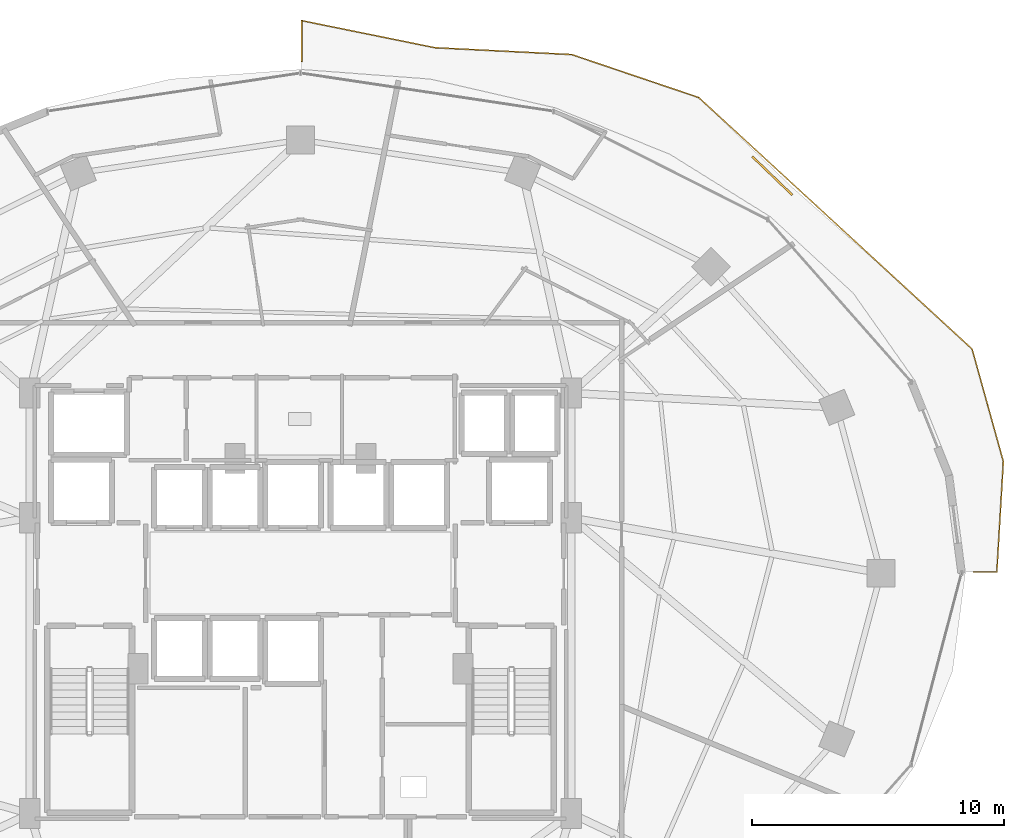
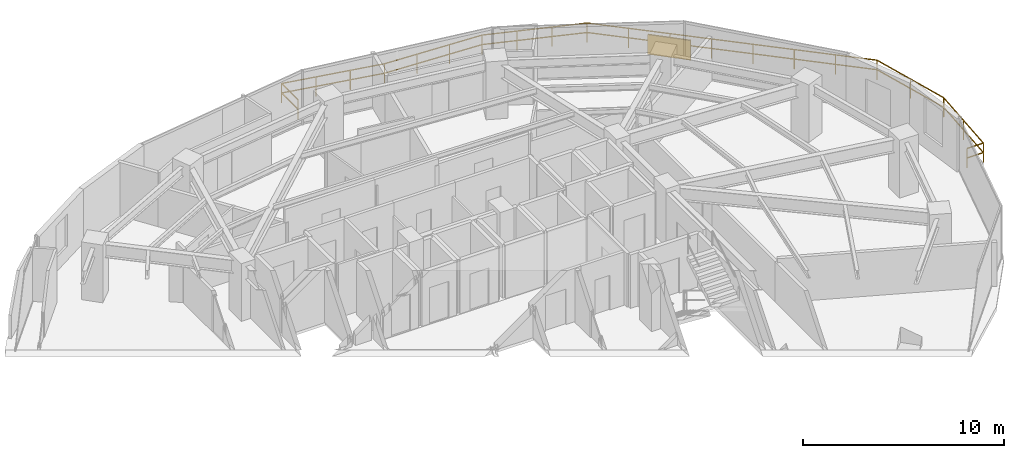
# One storey, part 29 of 30: 2 railings, 1 shading device.
"""IFC4 building model written with IfcOpenShell, lengths in metres."""

import ifcopenshell
import ifcopenshell.guid

model = None  # the IFC model being written
_history = None  # IfcOwnerHistory: only IFC2X3 demands one
_inside = {}  # id of a spatial element -> (the spatial element, [elements in it])
_under = {}  # id of a project, library or spatial element -> (it, [spatial elements below it])
_declared = {}  # id of a project -> (the project, [libraries it declares])
_typed = {}  # id of a type object -> (the type object, [elements of that type])
_made_of = {}  # id of a material, layer set ... -> (it, [elements and type objects made of it])


def new_model(schema):
    """Start an empty IFC model of exactly this schema.

    Asked for "IFC4X3", IfcOpenShell would pick the latest addendum, in which some entities
    have other attributes; the version numbers below select the first issue.
    IFC2X3 requires an IfcOwnerHistory on every rooted entity: one is made here for all.
    """
    global model, _history
    if schema == "IFC4X3":
        model = ifcopenshell.file(schema_version=(4, 3, 0, 0))
    else:
        model = ifcopenshell.file(schema=schema)
    _inside.clear()
    _under.clear()
    _declared.clear()
    _typed.clear()
    _made_of.clear()
    _history = None
    if model.schema == "IFC2X3":
        org = make("IfcOrganization", Name="unknown")
        user = make(
            "IfcPersonAndOrganization",
            ThePerson=make("IfcPerson", FamilyName="unknown"),
            TheOrganization=org,
        )
        app = make(
            "IfcApplication",
            ApplicationDeveloper=org,
            Version="unknown",
            ApplicationFullName="unknown",
            ApplicationIdentifier="unknown",
        )
        _history = make(
            "IfcOwnerHistory",
            OwningUser=user,
            OwningApplication=app,
            ChangeAction="ADDED",
            CreationDate=0,
        )
    return model


def make(cls, **values):
    """One entity of the class cls with the attributes given. An attribute that is None is left unset."""
    return model.create_entity(
        cls, **{name: value for name, value in values.items() if value is not None}
    )


def rooted(cls, **values):
    """An entity with a GlobalId (a new one), such as an element, a storey or a relation."""
    return make(cls, GlobalId=ifcopenshell.guid.new(), OwnerHistory=_history, **values)


def si_unit(unit_type, name, prefix=None):
    """IfcSIUnit, for example si_unit("LENGTHUNIT", "METRE", prefix="MILLI")."""
    return make("IfcSIUnit", UnitType=unit_type, Prefix=prefix, Name=name)


def assignment(units):
    """IfcUnitAssignment: the units of a project."""
    return None if units is None else make("IfcUnitAssignment", Units=units)


def point(xyz):
    """IfcCartesianPoint."""
    return None if xyz is None else make("IfcCartesianPoint", Coordinates=xyz)


def direction(xyz):
    """IfcDirection."""
    return None if xyz is None else make("IfcDirection", DirectionRatios=xyz)


def frame(location, z_axis=None, x_axis=None):
    """IfcAxis2Placement3D, a coordinate frame: its origin and axes. An axis left out is left unset."""
    return make(
        "IfcAxis2Placement3D",
        Location=point(location),
        Axis=direction(z_axis),
        RefDirection=direction(x_axis),
    )


def frame_2d(location, x_axis=None):
    """IfcAxis2Placement2D, a coordinate frame in the plane: its origin and x axis."""
    return make(
        "IfcAxis2Placement2D", Location=point(location), RefDirection=direction(x_axis)
    )


def origin():
    """The frame at (0, 0, 0) with its axes left unset."""
    return frame((0.0, 0.0, 0.0))


def origin_2d():
    """The frame at (0, 0) in the plane with its x axis left unset."""
    return frame_2d((0.0, 0.0))


def place(relative_to, where):
    """IfcLocalPlacement: puts the frame where relative to a parent placement (None: the world)."""
    return make(
        "IfcLocalPlacement", PlacementRelTo=relative_to, RelativePlacement=where
    )


def context(
    kind, dimensions, precision=None, world=None, true_north=None, identifier=None
):
    """IfcGeometricRepresentationContext, for example the 3D "Model" context."""
    return make(
        "IfcGeometricRepresentationContext",
        ContextIdentifier=identifier,
        ContextType=kind,
        CoordinateSpaceDimension=dimensions,
        Precision=precision,
        WorldCoordinateSystem=world,
        TrueNorth=true_north,
    )


def subcontext(parent, identifier, kind, view, scale=None):
    """IfcGeometricRepresentationSubContext, for example "Body" below "Model"."""
    return make(
        "IfcGeometricRepresentationSubContext",
        ContextIdentifier=identifier,
        ContextType=kind,
        ParentContext=parent,
        TargetScale=scale,
        TargetView=view,
    )


def project(units=None, contexts=None):
    """IfcProject with its units and contexts."""
    return rooted(
        "IfcProject",
        Name="project",
        RepresentationContexts=contexts,
        UnitsInContext=assignment(units),
    )


def spatial(cls, under=None, at=None, **own):
    """A site, building, storey or space (cls), placed at a placement, below another one or the project."""
    s = rooted(cls, ObjectPlacement=at, **own)
    if under is not None:
        _under.setdefault(under.id(), (under, []))[1].append(s)
    return s


def profile(cls, at=None, kind="AREA", **sizes):
    """A parametric profile (cls). Its sizes go by their IFC names, for example OverallWidth=200.0."""
    return make(cls, ProfileType=kind, Position=at, **sizes)


def rectangle(**sizes):
    """IfcRectangleProfileDef."""
    return profile("IfcRectangleProfileDef", **sizes)


def extrude(swept, where, along, depth):
    """IfcExtrudedAreaSolid: the profile swept, set in the frame where, extruded along a direction by depth."""
    return make(
        "IfcExtrudedAreaSolid",
        SweptArea=swept,
        Position=where,
        ExtrudedDirection=direction(along),
        Depth=depth,
    )


def shape(context_of_items, identifier, shape_type, items):
    """IfcShapeRepresentation: the items that make up one representation, for example the "Body"."""
    return make(
        "IfcShapeRepresentation",
        ContextOfItems=context_of_items,
        RepresentationIdentifier=identifier,
        RepresentationType=shape_type,
        Items=items,
    )


def material(Name=None, Category=None):
    """IfcMaterial."""
    return make("IfcMaterial", Name=Name, Category=Category)


def made_of(thing, what):
    """Note that an element or type object is made of a material, layer set ...; save() writes the relation."""
    if what is not None:
        _made_of.setdefault(what.id(), (what, []))[1].append(thing)
    return thing


def type_object(cls, material=None, **own):
    """A type object (cls), such as IfcWallType, which elements share."""
    return made_of(rooted(cls, **own), material)


def element(
    cls,
    number,
    at=None,
    inside=None,
    cuts=None,
    type_object=None,
    material=None,
    context=None,
    identifier="Body",
    shape_type=None,
    held_by="IfcProductDefinitionShape",
    body=None,
    shapes=None,
    **own,
):
    """One element of the class cls, such as IfcWall. Its Tag is "e" and its number.

    at: its placement. inside: the storey or other place that contains it. cuts: it is an
    opening in that element (IfcRelVoidsElement). A single representation is given by context,
    identifier, shape_type and body (its items); several are given by shapes. held_by: the class
    of the entity that holds the representations. save() writes the other relations.
    """
    e = rooted(cls, Tag="e%d" % number, ObjectPlacement=at, **own)
    if body is not None:
        shapes = [shape(context, identifier, shape_type, body)]
    if shapes is not None:
        e.Representation = make(held_by, Representations=shapes)
    if inside is not None:
        _inside.setdefault(inside.id(), (inside, []))[1].append(e)
    if cuts is not None:
        rooted(
            "IfcRelVoidsElement", RelatingBuildingElement=cuts, RelatedOpeningElement=e
        )
    if type_object is not None:
        _typed.setdefault(type_object.id(), (type_object, []))[1].append(e)
    return made_of(e, material)


def aggregate(whole, parts):
    """IfcRelAggregates: a whole, such as a stair, and the parts it consists of."""
    return rooted("IfcRelAggregates", RelatingObject=whole, RelatedObjects=parts)


def save(model, path):
    """Write the relations noted so far, then the file.

    IfcRelAggregates (storeys below a building ...), IfcRelContainedInSpatialStructure (elements
    in a storey), IfcRelDefinesByType, IfcRelAssociatesMaterial and IfcRelDeclares: one each for
    every whole, place, type object, material and project.
    """
    for whole, parts in _under.values():
        aggregate(whole, parts)
    for where, things in _inside.values():
        rooted(
            "IfcRelContainedInSpatialStructure",
            RelatedElements=things,
            RelatingStructure=where,
        )
    for kind, things in _typed.values():
        rooted("IfcRelDefinesByType", RelatedObjects=things, RelatingType=kind)
    for what, things in _made_of.values():
        rooted("IfcRelAssociatesMaterial", RelatedObjects=things, RelatingMaterial=what)
    for by, libraries in _declared.values():
        rooted("IfcRelDeclares", RelatingContext=by, RelatedDefinitions=libraries)
    model.write(path)


model = new_model("IFC4")

# Units and contexts
model_context = context("Model", 3, precision=1e-05, world=origin(), true_north=direction((0.0, 1.0)))
body_context = subcontext(model_context, "Body", "Model", "MODEL_VIEW")
ifc_project = project(units=[si_unit("LENGTHUNIT", "METRE"), si_unit("AREAUNIT", "SQUARE_METRE"), si_unit("VOLUMEUNIT", "CUBIC_METRE"), si_unit("PLANEANGLEUNIT", "RADIAN"), si_unit("MASSUNIT", "GRAM", prefix="KILO")], contexts=[model_context])

# Site, building, storey
site_placement = place(None, origin())
site = spatial("IfcSite", under=ifc_project, at=site_placement, CompositionType="ELEMENT")
building_placement = place(site_placement, origin())
building = spatial("IfcBuilding", under=site, at=building_placement, Name="Vorneva Point Tower", CompositionType="ELEMENT")
storey_placement = place(building_placement, frame((0.0, 0.0, 78.800048828125)))
storey = spatial("IfcBuildingStorey", under=building, at=storey_placement, Name="L20", CompositionType="ELEMENT", Elevation=78.800048828125)

# Railings
ifc_material = material(Name="Pale anodised aluminium", Category="aluminium")
railing_type = type_object("IfcRailingType", Name="RL-BAL-1200", PredefinedType="BALUSTRADE", material=ifc_material)
railing_1_placement = place(storey_placement, frame((38.050048828125, 47.939697265625, 0.0)))
element("IfcRailing", 1, at=railing_1_placement, inside=storey, type_object=railing_type, Name="L20 Wave Balcony Balustrade NE.1", PredefinedType="BALUSTRADE", context=body_context, shape_type="SweptSolid", body=[
    extrude(rectangle(XDim=0.048095703125, YDim=0.048095703125, at=origin_2d()), frame((0.0, 0.0, 1.17578125), z_axis=(0.0, -1.0, 0.0), x_axis=(1.0, 0.0, 0.0)), (0.0, 0.0, 1.0), 1.62255859375),
    extrude(rectangle(XDim=0.048095703125, YDim=0.048095703125, at=origin_2d()), frame((0.0, 0.0, 0.60009765625), z_axis=(0.0, -1.0, 0.0), x_axis=(1.0, 0.0, 0.0)), (0.0, 0.0, 1.0), 1.62255859375),
    extrude(rectangle(XDim=0.0419921875, YDim=0.0419921875, at=origin_2d()), origin(), (0.0, 0.0, 1.0), 1.15185546875),
    extrude(rectangle(XDim=0.0419921875, YDim=0.0419921875, at=origin_2d()), frame((0.0, -1.62255859375, 0.0)), (0.0, 0.0, 1.0), 1.15185546875),
])
railing_2_placement = place(storey_placement, frame((64.71630859375, 26.050048828125, 0.0)))
element("IfcRailing", 2, at=railing_2_placement, inside=storey, type_object=railing_type, Name="L20 Wave Balcony Balustrade NE.2", PredefinedType="BALUSTRADE", context=body_context, shape_type="SweptSolid", body=[
    extrude(rectangle(XDim=0.048095703125, YDim=0.048095703125, at=origin_2d()), frame((0.0, 0.0, 1.17578125), z_axis=(1.0, 0.0, 0.0), x_axis=(0.0, 1.0, 0.0)), (0.0, 0.0, 1.0), 0.9365234375),
    extrude(rectangle(XDim=0.048095703125, YDim=0.048095703125, at=origin_2d()), frame((0.0, 0.0, 0.60009765625), z_axis=(1.0, 0.0, 0.0), x_axis=(0.0, 1.0, 0.0)), (0.0, 0.0, 1.0), 0.9365234375),
    extrude(rectangle(XDim=0.048095703125, YDim=0.048095703125, at=origin_2d()), frame((0.9365234375, 0.0, 1.17578125), z_axis=(0.058793756589, 0.998270150904, 0.0), x_axis=(-0.998270150904, 0.058793756589, 0.0)), (0.0, 0.0, 1.0), 4.38916015625),
    extrude(rectangle(XDim=0.048095703125, YDim=0.048095703125, at=origin_2d()), frame((0.9365234375, 0.0, 0.60009765625), z_axis=(0.058793756589, 0.998270150904, 0.0), x_axis=(-0.998270150904, 0.058793756589, 0.0)), (0.0, 0.0, 1.0), 4.38916015625),
    extrude(rectangle(XDim=0.048095703125, YDim=0.048095703125, at=origin_2d()), frame((1.194580078125, 4.381591796875, 1.17578125), z_axis=(-0.267871946418, 0.963454524263, 0.0), x_axis=(-0.963454524263, -0.267871946418, 0.0)), (0.0, 0.0, 1.0), 4.63720703125),
    extrude(rectangle(XDim=0.048095703125, YDim=0.048095703125, at=origin_2d()), frame((1.194580078125, 4.381591796875, 0.60009765625), z_axis=(-0.267871946418, 0.963454524263, 0.0), x_axis=(-0.963454524263, -0.267871946418, 0.0)), (0.0, 0.0, 1.0), 4.63720703125),
    extrude(rectangle(XDim=0.048095703125, YDim=0.048095703125, at=origin_2d()), frame((-0.047607421875, 8.849365234375, 1.17578125), z_axis=(-0.735947501629, 0.677038606614, 0.0), x_axis=(-0.677038606614, -0.735947501629, 0.0)), (0.0, 0.0, 1.0), 14.75390625),
    extrude(rectangle(XDim=0.048095703125, YDim=0.048095703125, at=origin_2d()), frame((-0.047607421875, 8.849365234375, 0.60009765625), z_axis=(-0.735947501629, 0.677038606614, 0.0), x_axis=(-0.677038606614, -0.735947501629, 0.0)), (0.0, 0.0, 1.0), 14.75390625),
    extrude(rectangle(XDim=0.048095703125, YDim=0.048095703125, at=origin_2d()), frame((-10.90576171875, 18.83837890625, 1.17578125), z_axis=(-0.947317253015, 0.320296771979, 0.0), x_axis=(-0.320296771979, -0.947317253015, 0.0)), (0.0, 0.0, 1.0), 5.32421875),
    extrude(rectangle(XDim=0.048095703125, YDim=0.048095703125, at=origin_2d()), frame((-10.90576171875, 18.83837890625, 0.60009765625), z_axis=(-0.947317253015, 0.320296771979, 0.0), x_axis=(-0.320296771979, -0.947317253015, 0.0)), (0.0, 0.0, 1.0), 5.32421875),
    extrude(rectangle(XDim=0.048095703125, YDim=0.048095703125, at=origin_2d()), frame((-15.949462890625, 20.543701171875, 1.17578125), z_axis=(-0.998753906669, 0.049906251251, 0.0), x_axis=(-0.049906251251, -0.998753906669, 0.0)), (0.0, 0.0, 1.0), 5.43505859375),
    extrude(rectangle(XDim=0.048095703125, YDim=0.048095703125, at=origin_2d()), frame((-15.949462890625, 20.543701171875, 0.60009765625), z_axis=(-0.998753906669, 0.049906251251, 0.0), x_axis=(-0.049906251251, -0.998753906669, 0.0)), (0.0, 0.0, 1.0), 5.43505859375),
    extrude(rectangle(XDim=0.048095703125, YDim=0.048095703125, at=origin_2d()), frame((-21.377685546875, 20.81494140625, 1.17578125), z_axis=(-0.97997049327, 0.199142743578, 0.0), x_axis=(-0.199142743578, -0.97997049327, 0.0)), (0.0, 0.0, 1.0), 5.396728515625),
    extrude(rectangle(XDim=0.048095703125, YDim=0.048095703125, at=origin_2d()), frame((-21.377685546875, 20.81494140625, 0.60009765625), z_axis=(-0.97997049327, 0.199142743578, 0.0), x_axis=(-0.199142743578, -0.97997049327, 0.0)), (0.0, 0.0, 1.0), 5.396728515625),
    extrude(rectangle(XDim=0.0419921875, YDim=0.0419921875, at=origin_2d()), origin(), (0.0, 0.0, 1.0), 1.15185546875),
    extrude(rectangle(XDim=0.0419921875, YDim=0.0419921875, at=origin_2d()), frame((0.9365234375, 0.0, 0.0)), (0.0, 0.0, 1.0), 1.15185546875),
    extrude(rectangle(XDim=0.0419921875, YDim=0.0419921875, at=origin_2d()), frame((1.0654296875, 2.19091796875, 0.0)), (0.0, 0.0, 1.0), 1.15185546875),
    extrude(rectangle(XDim=0.0419921875, YDim=0.0419921875, at=origin_2d()), frame((1.194580078125, 4.381591796875, 0.0)), (0.0, 0.0, 1.0), 1.15185546875),
    extrude(rectangle(XDim=0.0419921875, YDim=0.0419921875, at=origin_2d()), frame((0.573486328125, 6.615478515625, 0.0)), (0.0, 0.0, 1.0), 1.15185546875),
    extrude(rectangle(XDim=0.0419921875, YDim=0.0419921875, at=origin_2d()), frame((-0.047607421875, 8.849365234375, 0.0)), (0.0, 0.0, 1.0), 1.15185546875),
    extrude(rectangle(XDim=0.0419921875, YDim=0.0419921875, at=origin_2d()), frame((-1.598876953125, 10.2763671875, 0.0)), (0.0, 0.0, 1.0), 1.15185546875),
    extrude(rectangle(XDim=0.0419921875, YDim=0.0419921875, at=origin_2d()), frame((-3.14990234375, 11.703369140625, 0.0)), (0.0, 0.0, 1.0), 1.15185546875),
    extrude(rectangle(XDim=0.0419921875, YDim=0.0419921875, at=origin_2d()), frame((-4.701171875, 13.13037109375, 0.0)), (0.0, 0.0, 1.0), 1.15185546875),
    extrude(rectangle(XDim=0.0419921875, YDim=0.0419921875, at=origin_2d()), frame((-6.252197265625, 14.557373046875, 0.0)), (0.0, 0.0, 1.0), 1.15185546875),
    extrude(rectangle(XDim=0.0419921875, YDim=0.0419921875, at=origin_2d()), frame((-7.803466796875, 15.984375, 0.0)), (0.0, 0.0, 1.0), 1.15185546875),
    extrude(rectangle(XDim=0.0419921875, YDim=0.0419921875, at=origin_2d()), frame((-9.3544921875, 17.411376953125, 0.0)), (0.0, 0.0, 1.0), 1.15185546875),
    extrude(rectangle(XDim=0.0419921875, YDim=0.0419921875, at=origin_2d()), frame((-10.90576171875, 18.83837890625, 0.0)), (0.0, 0.0, 1.0), 1.15185546875),
    extrude(rectangle(XDim=0.0419921875, YDim=0.0419921875, at=origin_2d()), frame((-12.5869140625, 19.40673828125, 0.0)), (0.0, 0.0, 1.0), 1.15185546875),
    extrude(rectangle(XDim=0.0419921875, YDim=0.0419921875, at=origin_2d()), frame((-14.268310546875, 19.975341796875, 0.0)), (0.0, 0.0, 1.0), 1.15185546875),
    extrude(rectangle(XDim=0.0419921875, YDim=0.0419921875, at=origin_2d()), frame((-15.949462890625, 20.543701171875, 0.0)), (0.0, 0.0, 1.0), 1.15185546875),
    extrude(rectangle(XDim=0.0419921875, YDim=0.0419921875, at=origin_2d()), frame((-17.7587890625, 20.634033203125, 0.0)), (0.0, 0.0, 1.0), 1.15185546875),
    extrude(rectangle(XDim=0.0419921875, YDim=0.0419921875, at=origin_2d()), frame((-19.568359375, 20.724609375, 0.0)), (0.0, 0.0, 1.0), 1.15185546875),
    extrude(rectangle(XDim=0.0419921875, YDim=0.0419921875, at=origin_2d()), frame((-21.377685546875, 20.81494140625, 0.0)), (0.0, 0.0, 1.0), 1.15185546875),
    extrude(rectangle(XDim=0.0419921875, YDim=0.0419921875, at=origin_2d()), frame((-23.140625, 21.173095703125, 0.0)), (0.0, 0.0, 1.0), 1.15185546875),
    extrude(rectangle(XDim=0.0419921875, YDim=0.0419921875, at=origin_2d()), frame((-24.9033203125, 21.531494140625, 0.0)), (0.0, 0.0, 1.0), 1.15185546875),
    extrude(rectangle(XDim=0.0419921875, YDim=0.0419921875, at=origin_2d()), frame((-26.666259765625, 21.8896484375, 0.0)), (0.0, 0.0, 1.0), 1.15185546875),
])

# Shading device
shading_device_type = type_object("IfcShadingDeviceType", Name="SHD-JAL-1200", PredefinedType="JALOUSIE", material=ifc_material)
shading_device_placement = place(storey_placement, frame((56.73095703125, 41.78125, -0.02001953125), z_axis=(0.0, 0.0, 1.0), x_axis=(-0.721349375015, 0.692571353122, 0.0)))
element("IfcShadingDevice", 3, at=shading_device_placement, inside=storey, type_object=shading_device_type, Name="L20 Balcony Vertical-Greenery Planter Screen NE.2", PredefinedType="JALOUSIE", context=body_context, shape_type="SweptSolid", body=[
    extrude(rectangle(XDim=2.199951171875, YDim=0.080078125, at=origin_2d()), origin(), (0.0, 0.0, 1.0), 1.199951171875),
])

save(model, "model.ifc")
